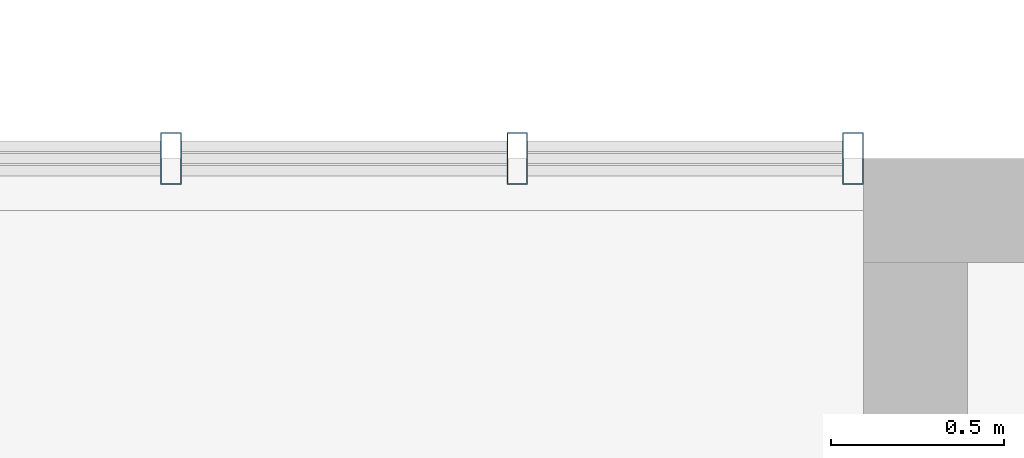
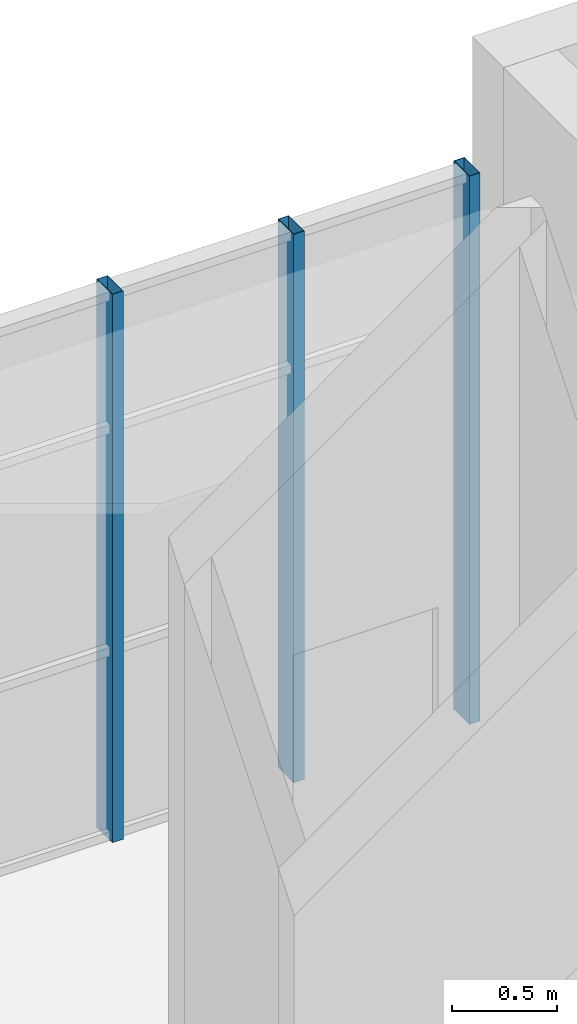
# One storey, part 22 of 47: 3 members, 1 element without a shape of its own.
"""IFC4 building model written with IfcOpenShell, lengths in metres."""

from ifc_helpers import new_model, si_unit, direction, frame, origin, origin_2d, place, context, subcontext, project, spatial, hollow_rectangle, extrude, material, material_profile, profile_set, type_object, element, aggregate, save


model = new_model("IFC4")

# Units and contexts
model_context = context("Model", 3, precision=1e-05, world=origin(), true_north=direction((0.0, 1.0)))
body_context = subcontext(model_context, "Body", "Model", "MODEL_VIEW")
ifc_project = project(units=[si_unit("LENGTHUNIT", "METRE"), si_unit("AREAUNIT", "SQUARE_METRE"), si_unit("VOLUMEUNIT", "CUBIC_METRE"), si_unit("PLANEANGLEUNIT", "RADIAN"), si_unit("MASSUNIT", "GRAM", prefix="KILO")], contexts=[model_context])

# Site, building, storey
site_placement = place(None, origin())
site = spatial("IfcSite", under=ifc_project, at=site_placement, CompositionType="ELEMENT")
building_placement = place(site_placement, origin())
building = spatial("IfcBuilding", under=site, at=building_placement, Name="Laocheng Heights Fire and Rescue Headquarters", CompositionType="ELEMENT")
storey_placement = place(building_placement, frame((0.0, 0.0, 16.800048828125)))
storey = spatial("IfcBuildingStorey", under=building, at=storey_placement, Name="L04", CompositionType="ELEMENT", Elevation=16.800048828125)

# Curtain wall, members
ifc_material_1 = material(Name="Dark anodised aluminium unitised curtain wall, low-e double glazing", Category="aluminium")
curtain_wall_type = type_object("IfcCurtainWallType", Name="CW 6000 x 3200 HQ CONTROL ROOM FACE", PredefinedType="NOTDEFINED", material=ifc_material_1)
curtain_wall_placement = place(storey_placement, origin())
curtain_wall = element("IfcCurtainWall", 1, at=curtain_wall_placement, inside=storey, type_object=curtain_wall_type, Name="X23-X HQ NORTH L04", PredefinedType="NOTDEFINED")
ifc_material_2 = material(Name="Dark anodised aluminium 6063-T5 extrusion", Category="aluminium")
ifc_material_profile = material_profile(ifc_material_2, hollow_rectangle(XDim=0.14990234375, YDim=0.06005859375, WallThickness=0.0029296875, at=origin_2d()), Name="AL MULLION 150x60x3 HQ CONTROL ROOM FACE")
ifc_profile_set = profile_set([ifc_material_profile], Name="Dark anodised aluminium 6063-T5 extrusion")
member_type = type_object("IfcMemberType", Name="AL MULLION 150x60x3 HQ CONTROL ROOM FACE", PredefinedType="MULLION", material=ifc_profile_set)
member_1_placement = place(storey_placement, frame((76.0, 72.0, 0.0), z_axis=(0.0, 0.0, 1.0), x_axis=(0.0, 1.0, 0.0)))
member_1 = element("IfcMember", 2, at=member_1_placement, type_object=member_type, Name="X23-X mullion 5", PredefinedType="MULLION", context=body_context, shape_type="SweptSolid", body=[
    extrude(hollow_rectangle(XDim=0.14990234375, YDim=0.06005859375, WallThickness=0.0029296875, at=origin_2d()), origin(), (0.0, 0.0, 1.0), 3.199951171875),
])
member_2_placement = place(storey_placement, frame((77.0, 72.0, 0.0), z_axis=(0.0, 0.0, 1.0), x_axis=(0.0, 1.0, 0.0)))
member_2 = element("IfcMember", 3, at=member_2_placement, type_object=member_type, Name="X23-X mullion 6", PredefinedType="MULLION", context=body_context, shape_type="SweptSolid", body=[
    extrude(hollow_rectangle(XDim=0.14990234375, YDim=0.06005859375, WallThickness=0.0029296875, at=origin_2d()), origin(), (0.0, 0.0, 1.0), 3.199951171875),
])
member_3_placement = place(storey_placement, frame((77.969970703125, 72.0, 0.0), z_axis=(0.0, 0.0, 1.0), x_axis=(0.0, 1.0, 0.0)))
member_3 = element("IfcMember", 4, at=member_3_placement, type_object=member_type, Name="X23-X mullion 7", PredefinedType="MULLION", context=body_context, shape_type="SweptSolid", body=[
    extrude(hollow_rectangle(XDim=0.14990234375, YDim=0.06005859375, WallThickness=0.0029296875, at=origin_2d()), origin(), (0.0, 0.0, 1.0), 3.199951171875),
])
aggregate(curtain_wall, [member_1, member_2, member_3])

save(model, "model.ifc")
